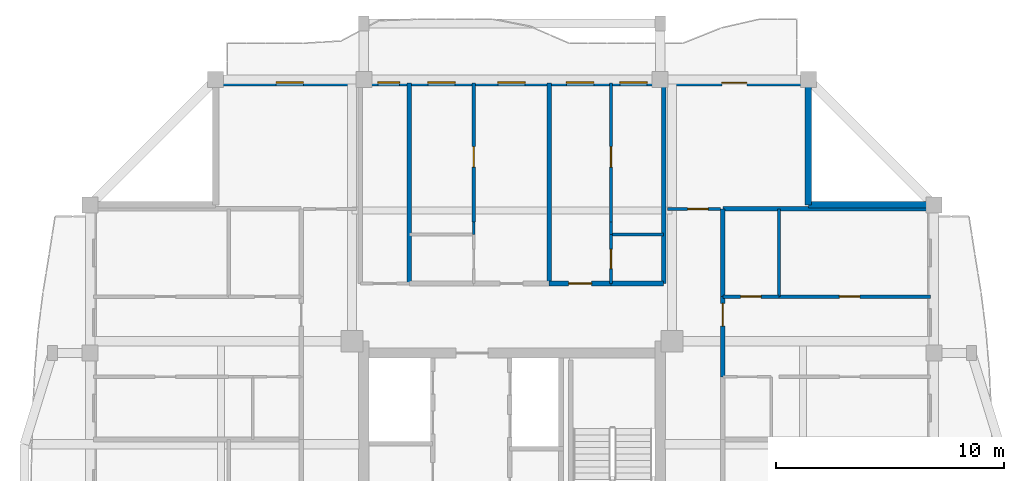
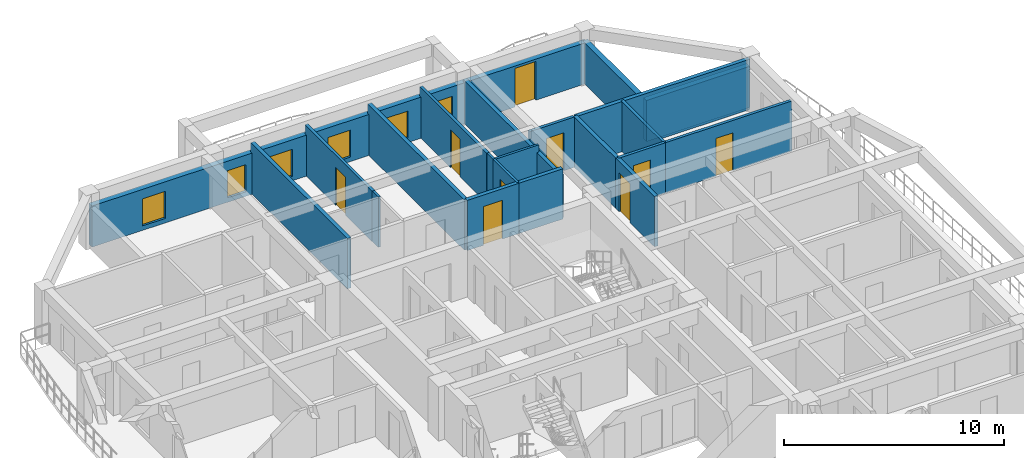
# One storey, part 7 of 14: 21 walls, 9 doors, 6 windows, 15 openings.
"""IFC4 building model written with IfcOpenShell, lengths in metres."""

import ifcopenshell
import ifcopenshell.guid

model = None  # the IFC model being written
_history = None  # IfcOwnerHistory: only IFC2X3 demands one
_inside = {}  # id of a spatial element -> (the spatial element, [elements in it])
_under = {}  # id of a project, library or spatial element -> (it, [spatial elements below it])
_declared = {}  # id of a project -> (the project, [libraries it declares])
_typed = {}  # id of a type object -> (the type object, [elements of that type])
_made_of = {}  # id of a material, layer set ... -> (it, [elements and type objects made of it])


def new_model(schema):
    """Start an empty IFC model of exactly this schema.

    Asked for "IFC4X3", IfcOpenShell would pick the latest addendum, in which some entities
    have other attributes; the version numbers below select the first issue.
    IFC2X3 requires an IfcOwnerHistory on every rooted entity: one is made here for all.
    """
    global model, _history
    if schema == "IFC4X3":
        model = ifcopenshell.file(schema_version=(4, 3, 0, 0))
    else:
        model = ifcopenshell.file(schema=schema)
    _inside.clear()
    _under.clear()
    _declared.clear()
    _typed.clear()
    _made_of.clear()
    _history = None
    if model.schema == "IFC2X3":
        org = make("IfcOrganization", Name="unknown")
        user = make(
            "IfcPersonAndOrganization",
            ThePerson=make("IfcPerson", FamilyName="unknown"),
            TheOrganization=org,
        )
        app = make(
            "IfcApplication",
            ApplicationDeveloper=org,
            Version="unknown",
            ApplicationFullName="unknown",
            ApplicationIdentifier="unknown",
        )
        _history = make(
            "IfcOwnerHistory",
            OwningUser=user,
            OwningApplication=app,
            ChangeAction="ADDED",
            CreationDate=0,
        )
    return model


def make(cls, **values):
    """One entity of the class cls with the attributes given. An attribute that is None is left unset."""
    return model.create_entity(
        cls, **{name: value for name, value in values.items() if value is not None}
    )


def rooted(cls, **values):
    """An entity with a GlobalId (a new one), such as an element, a storey or a relation."""
    return make(cls, GlobalId=ifcopenshell.guid.new(), OwnerHistory=_history, **values)


def si_unit(unit_type, name, prefix=None):
    """IfcSIUnit, for example si_unit("LENGTHUNIT", "METRE", prefix="MILLI")."""
    return make("IfcSIUnit", UnitType=unit_type, Prefix=prefix, Name=name)


def assignment(units):
    """IfcUnitAssignment: the units of a project."""
    return None if units is None else make("IfcUnitAssignment", Units=units)


def point(xyz):
    """IfcCartesianPoint."""
    return None if xyz is None else make("IfcCartesianPoint", Coordinates=xyz)


def direction(xyz):
    """IfcDirection."""
    return None if xyz is None else make("IfcDirection", DirectionRatios=xyz)


def frame(location, z_axis=None, x_axis=None):
    """IfcAxis2Placement3D, a coordinate frame: its origin and axes. An axis left out is left unset."""
    return make(
        "IfcAxis2Placement3D",
        Location=point(location),
        Axis=direction(z_axis),
        RefDirection=direction(x_axis),
    )


def frame_2d(location, x_axis=None):
    """IfcAxis2Placement2D, a coordinate frame in the plane: its origin and x axis."""
    return make(
        "IfcAxis2Placement2D", Location=point(location), RefDirection=direction(x_axis)
    )


def origin():
    """The frame at (0, 0, 0) with its axes left unset."""
    return frame((0.0, 0.0, 0.0))


def place(relative_to, where):
    """IfcLocalPlacement: puts the frame where relative to a parent placement (None: the world)."""
    return make(
        "IfcLocalPlacement", PlacementRelTo=relative_to, RelativePlacement=where
    )


def context(
    kind, dimensions, precision=None, world=None, true_north=None, identifier=None
):
    """IfcGeometricRepresentationContext, for example the 3D "Model" context."""
    return make(
        "IfcGeometricRepresentationContext",
        ContextIdentifier=identifier,
        ContextType=kind,
        CoordinateSpaceDimension=dimensions,
        Precision=precision,
        WorldCoordinateSystem=world,
        TrueNorth=true_north,
    )


def subcontext(parent, identifier, kind, view, scale=None):
    """IfcGeometricRepresentationSubContext, for example "Body" below "Model"."""
    return make(
        "IfcGeometricRepresentationSubContext",
        ContextIdentifier=identifier,
        ContextType=kind,
        ParentContext=parent,
        TargetScale=scale,
        TargetView=view,
    )


def project(units=None, contexts=None):
    """IfcProject with its units and contexts."""
    return rooted(
        "IfcProject",
        Name="project",
        RepresentationContexts=contexts,
        UnitsInContext=assignment(units),
    )


def spatial(cls, under=None, at=None, **own):
    """A site, building, storey or space (cls), placed at a placement, below another one or the project."""
    s = rooted(cls, ObjectPlacement=at, **own)
    if under is not None:
        _under.setdefault(under.id(), (under, []))[1].append(s)
    return s


def profile(cls, at=None, kind="AREA", **sizes):
    """A parametric profile (cls). Its sizes go by their IFC names, for example OverallWidth=200.0."""
    return make(cls, ProfileType=kind, Position=at, **sizes)


def rectangle(**sizes):
    """IfcRectangleProfileDef."""
    return profile("IfcRectangleProfileDef", **sizes)


def extrude(swept, where, along, depth):
    """IfcExtrudedAreaSolid: the profile swept, set in the frame where, extruded along a direction by depth."""
    return make(
        "IfcExtrudedAreaSolid",
        SweptArea=swept,
        Position=where,
        ExtrudedDirection=direction(along),
        Depth=depth,
    )


def shape(context_of_items, identifier, shape_type, items):
    """IfcShapeRepresentation: the items that make up one representation, for example the "Body"."""
    return make(
        "IfcShapeRepresentation",
        ContextOfItems=context_of_items,
        RepresentationIdentifier=identifier,
        RepresentationType=shape_type,
        Items=items,
    )


def source(mapping_origin, context_of_items, identifier, shape_type, items):
    """IfcRepresentationMap: a shape defined once, which mapped items show again and again."""
    return make(
        "IfcRepresentationMap",
        MappingOrigin=mapping_origin,
        MappedRepresentation=shape(context_of_items, identifier, shape_type, items),
    )


def transform(
    local_origin,
    x_axis=None,
    y_axis=None,
    z_axis=None,
    scale=None,
    scale2=None,
    scale3=None,
    uniform=True,
):
    """IfcCartesianTransformationOperator3D, or its non-uniform kind. x_axis, y_axis, z_axis: its Axis1, 2, 3."""
    if uniform:
        return make(
            "IfcCartesianTransformationOperator3D",
            Axis1=direction(x_axis),
            Axis2=direction(y_axis),
            LocalOrigin=point(local_origin),
            Scale=scale,
            Axis3=direction(z_axis),
        )
    return make(
        "IfcCartesianTransformationOperator3DnonUniform",
        Axis1=direction(x_axis),
        Axis2=direction(y_axis),
        LocalOrigin=point(local_origin),
        Scale=scale,
        Axis3=direction(z_axis),
        Scale2=scale2,
        Scale3=scale3,
    )


def mapped(mapping_source, mapping_target):
    """IfcMappedItem: shows the shape of a source again, moved by a transform."""
    return make(
        "IfcMappedItem", MappingSource=mapping_source, MappingTarget=mapping_target
    )


def material(Name=None, Category=None):
    """IfcMaterial."""
    return make("IfcMaterial", Name=Name, Category=Category)


def layer(
    of_material, thickness, ventilated=None, Name=None, Category=None, Priority=None
):
    """IfcMaterialLayer: one layer of a wall or slab, of a material (None: an air gap)."""
    return make(
        "IfcMaterialLayer",
        Material=of_material,
        LayerThickness=thickness,
        IsVentilated=ventilated,
        Name=Name,
        Category=Category,
        Priority=Priority,
    )


def layer_set(layers, Name=None):
    """IfcMaterialLayerSet."""
    return make("IfcMaterialLayerSet", MaterialLayers=layers, LayerSetName=Name)


def made_of(thing, what):
    """Note that an element or type object is made of a material, layer set ...; save() writes the relation."""
    if what is not None:
        _made_of.setdefault(what.id(), (what, []))[1].append(thing)
    return thing


def type_object(cls, material=None, **own):
    """A type object (cls), such as IfcWallType, which elements share."""
    return made_of(rooted(cls, **own), material)


def element(
    cls,
    number,
    at=None,
    inside=None,
    cuts=None,
    type_object=None,
    material=None,
    context=None,
    identifier="Body",
    shape_type=None,
    held_by="IfcProductDefinitionShape",
    body=None,
    shapes=None,
    **own,
):
    """One element of the class cls, such as IfcWall. Its Tag is "e" and its number.

    at: its placement. inside: the storey or other place that contains it. cuts: it is an
    opening in that element (IfcRelVoidsElement). A single representation is given by context,
    identifier, shape_type and body (its items); several are given by shapes. held_by: the class
    of the entity that holds the representations. save() writes the other relations.
    """
    e = rooted(cls, Tag="e%d" % number, ObjectPlacement=at, **own)
    if body is not None:
        shapes = [shape(context, identifier, shape_type, body)]
    if shapes is not None:
        e.Representation = make(held_by, Representations=shapes)
    if inside is not None:
        _inside.setdefault(inside.id(), (inside, []))[1].append(e)
    if cuts is not None:
        rooted(
            "IfcRelVoidsElement", RelatingBuildingElement=cuts, RelatedOpeningElement=e
        )
    if type_object is not None:
        _typed.setdefault(type_object.id(), (type_object, []))[1].append(e)
    return made_of(e, material)


def fill(opening, filler):
    """IfcRelFillsElement: the door or window that sits in an opening."""
    return rooted(
        "IfcRelFillsElement",
        RelatingOpeningElement=opening,
        RelatedBuildingElement=filler,
    )


def aggregate(whole, parts):
    """IfcRelAggregates: a whole, such as a stair, and the parts it consists of."""
    return rooted("IfcRelAggregates", RelatingObject=whole, RelatedObjects=parts)


def save(model, path):
    """Write the relations noted so far, then the file.

    IfcRelAggregates (storeys below a building ...), IfcRelContainedInSpatialStructure (elements
    in a storey), IfcRelDefinesByType, IfcRelAssociatesMaterial and IfcRelDeclares: one each for
    every whole, place, type object, material and project.
    """
    for whole, parts in _under.values():
        aggregate(whole, parts)
    for where, things in _inside.values():
        rooted(
            "IfcRelContainedInSpatialStructure",
            RelatedElements=things,
            RelatingStructure=where,
        )
    for kind, things in _typed.values():
        rooted("IfcRelDefinesByType", RelatedObjects=things, RelatingType=kind)
    for what, things in _made_of.values():
        rooted("IfcRelAssociatesMaterial", RelatedObjects=things, RelatingMaterial=what)
    for by, libraries in _declared.values():
        rooted("IfcRelDeclares", RelatingContext=by, RelatedDefinitions=libraries)
    model.write(path)


model = new_model("IFC4")

# Units and contexts
model_context = context("Model", 3, precision=1e-05, world=origin(), true_north=direction((0.0, 1.0)))
body_context = subcontext(model_context, "Body", "Model", "MODEL_VIEW")
ifc_project = project(units=[si_unit("LENGTHUNIT", "METRE"), si_unit("AREAUNIT", "SQUARE_METRE"), si_unit("VOLUMEUNIT", "CUBIC_METRE"), si_unit("PLANEANGLEUNIT", "RADIAN"), si_unit("MASSUNIT", "GRAM", prefix="KILO")], contexts=[model_context])

# Site, building, storey
site_placement = place(None, origin())
site = spatial("IfcSite", under=ifc_project, at=site_placement, CompositionType="ELEMENT")
building_placement = place(site_placement, origin())
building = spatial("IfcBuilding", under=site, at=building_placement, Name="Saelheon Loggia Tower", CompositionType="ELEMENT")
storey_placement = place(building_placement, frame((0.0, 0.0, 210.300048828125)))
storey = spatial("IfcBuildingStorey", under=building, at=storey_placement, Name="L65", CompositionType="ELEMENT", Elevation=210.300048828125)

# Wall, openings, windows, door
ifc_material_1 = material(Name="Architectural Precast Concrete C40/50", Category="concrete")
ifc_layer_1 = layer(ifc_material_1, 0.280029296875)
ifc_layer_set_1 = layer_set([ifc_layer_1], Name="Architectural Precast Concrete C40/50")
wall_type_1 = type_object("IfcWallType", Name="Wall_Ext_Loggia_280", PredefinedType="SOLIDWALL", material=ifc_layer_set_1)
wall_1_placement = place(storey_placement, frame((25.0, 47.860107421875, 0.0), z_axis=(0.0, 0.0, 1.0), x_axis=(1.0, 0.0, 0.0)))
wall_1 = element("IfcWall", 1, at=wall_1_placement, inside=storey, type_object=wall_type_1, Name="L65 North Loggia Inner Wall", PredefinedType="SOLIDWALL", context=body_context, shape_type="SweptSolid", body=[
    extrude(rectangle(XDim=26.0, YDim=0.280029296875, at=frame_2d((13.0, 0.0))), origin(), (0.0, 0.0, 1.0), 2.280029296875),
])
opening_1_placement = place(wall_1_placement, frame((2.64990234375, 0.0, 0.25)))
opening_1 = element("IfcOpeningElement", 2, at=opening_1_placement, cuts=wall_1, Name="Opening WN-03", PredefinedType="OPENING", context=body_context, shape_type="SweptSolid", body=[
    extrude(rectangle(XDim=1.199951171875, YDim=1.5, at=frame_2d((0.60009765625, 0.75))), frame((0.0, 0.152099609375, 0.0), z_axis=(0.0, -1.0, 0.0), x_axis=(1.0, 0.0, 0.0)), (0.0, 0.0, 1.0), 0.303955078125),
])
opening_2_placement = place(wall_1_placement, frame((7.1201171875, 0.0, 0.25)))
opening_2 = element("IfcOpeningElement", 3, at=opening_2_placement, cuts=wall_1, Name="Opening WN-04", PredefinedType="OPENING", context=body_context, shape_type="SweptSolid", body=[
    extrude(rectangle(XDim=0.949951171875, YDim=1.5, at=frame_2d((0.47509765625, 0.75))), frame((0.0, 0.152099609375, 0.0), z_axis=(0.0, -1.0, 0.0), x_axis=(1.0, 0.0, 0.0)), (0.0, 0.0, 1.0), 0.303955078125),
])
opening_3_placement = place(wall_1_placement, frame((9.310546875, 0.0, 0.25)))
opening_3 = element("IfcOpeningElement", 4, at=opening_3_placement, cuts=wall_1, Name="Opening WN-03", PredefinedType="OPENING", context=body_context, shape_type="SweptSolid", body=[
    extrude(rectangle(XDim=1.199951171875, YDim=1.5, at=frame_2d((0.60009765625, 0.75))), frame((0.0, 0.152099609375, 0.0), z_axis=(0.0, -1.0, 0.0), x_axis=(1.0, 0.0, 0.0)), (0.0, 0.0, 1.0), 0.303955078125),
])
opening_4_placement = place(wall_1_placement, frame((12.376708984375, 0.0, 0.25)))
opening_4 = element("IfcOpeningElement", 5, at=opening_4_placement, cuts=wall_1, Name="Opening WN-03", PredefinedType="OPENING", context=body_context, shape_type="SweptSolid", body=[
    extrude(rectangle(XDim=1.199951171875, YDim=1.5, at=frame_2d((0.60009765625, 0.75))), frame((0.0, 0.152099609375, 0.0), z_axis=(0.0, -1.0, 0.0), x_axis=(1.0, 0.0, 0.0)), (0.0, 0.0, 1.0), 0.303955078125),
])
opening_5_placement = place(wall_1_placement, frame((15.38720703125, 0.0, 0.25)))
opening_5 = element("IfcOpeningElement", 6, at=opening_5_placement, cuts=wall_1, Name="Opening WN-03", PredefinedType="OPENING", context=body_context, shape_type="SweptSolid", body=[
    extrude(rectangle(XDim=1.199951171875, YDim=1.5, at=frame_2d((0.60009765625, 0.75))), frame((0.0, 0.152099609375, 0.0), z_axis=(0.0, -1.0, 0.0), x_axis=(1.0, 0.0, 0.0)), (0.0, 0.0, 1.0), 0.303955078125),
])
opening_6_placement = place(wall_1_placement, frame((17.72607421875, 0.0, 0.25)))
opening_6 = element("IfcOpeningElement", 7, at=opening_6_placement, cuts=wall_1, Name="Opening WN-03", PredefinedType="OPENING", context=body_context, shape_type="SweptSolid", body=[
    extrude(rectangle(XDim=1.199951171875, YDim=1.5, at=frame_2d((0.60009765625, 0.75))), frame((0.0, 0.152099609375, 0.0), z_axis=(0.0, -1.0, 0.0), x_axis=(1.0, 0.0, 0.0)), (0.0, 0.0, 1.0), 0.303955078125),
])
opening_7_placement = place(wall_1_placement, frame((22.199951171875, 0.0, 0.0)))
opening_7 = element("IfcOpeningElement", 8, at=opening_7_placement, cuts=wall_1, Name="Opening TD1", PredefinedType="OPENING", context=body_context, shape_type="SweptSolid", body=[
    extrude(rectangle(XDim=1.10009765625, YDim=2.14990234375, at=frame_2d((0.550048828125, 1.074951171875))), frame((0.0, 0.152099609375, 0.0), z_axis=(0.0, -1.0, 0.0), x_axis=(1.0, 0.0, 0.0)), (0.0, 0.0, 1.0), 0.303955078125),
])
ifc_material_2 = material(Name="Thermal-Break Aluminium and Triple Low-E Glass", Category="aluminium")
window_type_1 = type_object("IfcWindowType", Name="Win_Bedroom_1200x1500", PartitioningType="SINGLE_PANEL", PredefinedType="WINDOW", material=ifc_material_2)
shared_shape_1 = source(origin(), body_context, "Body", "SweptSolid", [
    extrude(rectangle(XDim=1.199951171875, YDim=1.5, at=frame_2d((0.60009765625, 0.75))), frame((0.0, 0.030029296875, 0.0), z_axis=(0.0, -1.0, 0.0), x_axis=(1.0, 0.0, 0.0)), (0.0, 0.0, 1.0), 0.06005859375),
])
window_1_placement = place(opening_1_placement, origin())
window_1 = element("IfcWindow", 9, at=window_1_placement, inside=storey, type_object=window_type_1, Name="L65 N Dwelling Window 1", OverallHeight=1.5, OverallWidth=1.199951171875, PartitioningType="SINGLE_PANEL", PredefinedType="WINDOW", context=body_context, shape_type="MappedRepresentation", body=[
    mapped(shared_shape_1, transform((0.0, 0.0, 0.0), scale=1.0)),
])
fill(opening_1, window_1)
window_2_placement = place(opening_3_placement, origin())
window_2 = element("IfcWindow", 10, at=window_2_placement, inside=storey, type_object=window_type_1, Name="L65 N Dwelling Window 3", OverallHeight=1.5, OverallWidth=1.199951171875, PartitioningType="SINGLE_PANEL", PredefinedType="WINDOW", context=body_context, shape_type="MappedRepresentation", body=[
    mapped(shared_shape_1, transform((0.0, 0.0, 0.0), scale=1.0)),
])
fill(opening_3, window_2)
window_3_placement = place(opening_4_placement, origin())
window_3 = element("IfcWindow", 11, at=window_3_placement, inside=storey, type_object=window_type_1, Name="L65 N Dwelling Window 4", OverallHeight=1.5, OverallWidth=1.199951171875, PartitioningType="SINGLE_PANEL", PredefinedType="WINDOW", context=body_context, shape_type="MappedRepresentation", body=[
    mapped(shared_shape_1, transform((0.0, 0.0, 0.0), scale=1.0)),
])
fill(opening_4, window_3)
window_4_placement = place(opening_5_placement, origin())
window_4 = element("IfcWindow", 12, at=window_4_placement, inside=storey, type_object=window_type_1, Name="L65 N Dwelling Window 5", OverallHeight=1.5, OverallWidth=1.199951171875, PartitioningType="SINGLE_PANEL", PredefinedType="WINDOW", context=body_context, shape_type="MappedRepresentation", body=[
    mapped(shared_shape_1, transform((0.0, 0.0, 0.0), scale=1.0)),
])
fill(opening_5, window_4)
window_5_placement = place(opening_6_placement, origin())
window_5 = element("IfcWindow", 13, at=window_5_placement, inside=storey, type_object=window_type_1, Name="L65 N Dwelling Window 6", OverallHeight=1.5, OverallWidth=1.199951171875, PartitioningType="SINGLE_PANEL", PredefinedType="WINDOW", context=body_context, shape_type="MappedRepresentation", body=[
    mapped(shared_shape_1, transform((0.0, 0.0, 0.0), scale=1.0)),
])
fill(opening_6, window_5)
ifc_material_3 = material(Name="Thermal-Break Aluminium Glazed Door", Category="aluminium")
door_type_1 = type_object("IfcDoorType", Name="Door_Terrace_TD1", OperationType="NOTDEFINED", PredefinedType="DOOR", material=ifc_material_3)
shared_shape_2 = source(origin(), body_context, "Body", "SweptSolid", [
    extrude(rectangle(XDim=1.10009765625, YDim=2.14990234375, at=frame_2d((0.550048828125, 1.074951171875))), frame((0.0, 0.02490234375, 0.0), z_axis=(0.0, -1.0, 0.0), x_axis=(1.0, 0.0, 0.0)), (0.0, 0.0, 1.0), 0.050048828125),
])
door_1_placement = place(opening_7_placement, origin())
door_1 = element("IfcDoor", 14, at=door_1_placement, inside=storey, type_object=door_type_1, Name="L65 N Loggia Access Door", OperationType="SINGLE_SWING_LEFT", OverallHeight=2.14990234375, OverallWidth=1.10009765625, PredefinedType="DOOR", context=body_context, shape_type="MappedRepresentation", body=[
    mapped(shared_shape_2, transform((0.0, 0.0, 0.0), scale=1.0)),
])
fill(opening_7, door_1)
window_type_2 = type_object("IfcWindowType", Name="Win_Narrow_950x1500", PartitioningType="SINGLE_PANEL", PredefinedType="WINDOW", material=ifc_material_2)
shared_shape_3 = source(origin(), body_context, "Body", "SweptSolid", [
    extrude(rectangle(XDim=0.949951171875, YDim=1.5, at=frame_2d((0.47509765625, 0.75))), frame((0.0, 0.030029296875, 0.0), z_axis=(0.0, -1.0, 0.0), x_axis=(1.0, 0.0, 0.0)), (0.0, 0.0, 1.0), 0.06005859375),
])
window_6_placement = place(opening_2_placement, origin())
window_6 = element("IfcWindow", 15, at=window_6_placement, inside=storey, type_object=window_type_2, Name="L65 N Dwelling Window 2", OverallHeight=1.5, OverallWidth=0.949951171875, PartitioningType="SINGLE_PANEL", PredefinedType="WINDOW", context=body_context, shape_type="MappedRepresentation", body=[
    mapped(shared_shape_3, transform((0.0, 0.0, 0.0), scale=1.0)),
])
fill(opening_2, window_6)

# Walls
for number, where, z_axis, x_axis, name in (
    (16, (51.0, 42.5, 0.0), (0.0, 0.0, 1.0), (0.0, 1.0, 0.0), "L65 Corner Notch Precast Wall NE1"),
    (17, (51.0, 42.5, 0.0), (0.0, 0.0, 1.0), (1.0, 0.0, 0.0), "L65 Corner Notch Precast Wall NE2"),
):
    element("IfcWall", number, at=place(storey_placement, frame(where, z_axis=z_axis, x_axis=x_axis)), inside=storey, type_object=wall_type_1, Name=name, PredefinedType="SOLIDWALL", context=body_context, shape_type="SweptSolid", body=[
        extrude(rectangle(XDim=5.419921875, YDim=0.280029296875, at=frame_2d((2.7099609375, 0.0))), origin(), (0.0, 0.0, 1.0), 2.280029296875),
    ])

# Wall, opening, door
ifc_material_4 = material(Name="Lightweight Autoclaved Aerated Concrete Block and Acoustic Gypsum", Category="concrete")
ifc_layer_2 = layer(ifc_material_4, 0.14990234375)
ifc_layer_set_2 = layer_set([ifc_layer_2], Name="Lightweight Autoclaved Aerated Concrete Block and Acoustic Gypsum")
wall_type_2 = type_object("IfcWallType", Name="Wall_Part_150", PredefinedType="PARTITIONING", material=ifc_layer_set_2)
wall_2_placement = place(storey_placement, frame((44.820068359375, 42.320068359375, 0.0), z_axis=(0.0, 0.0, 1.0), x_axis=(1.0, 0.0, 0.0)))
wall_2 = element("IfcWall", 18, at=wall_2_placement, inside=storey, type_object=wall_type_2, Name="PW-L65-CNE-H", PredefinedType="PARTITIONING", context=body_context, shape_type="SweptSolid", body=[
    extrude(rectangle(XDim=2.329833984375, YDim=0.14990234375, at=frame_2d((1.1650390625, 0.0))), origin(), (0.0, 0.0, 1.0), 2.7900390625),
])
opening_8_placement = place(wall_2_placement, frame((0.8798828125, 0.0, 0.0)))
opening_8 = element("IfcOpeningElement", 19, at=opening_8_placement, cuts=wall_2, Name="Opening D-IN2", PredefinedType="OPENING", context=body_context, shape_type="SweptSolid", body=[
    extrude(rectangle(XDim=0.89990234375, YDim=2.10009765625, at=frame_2d((0.449951171875, 1.050048828125))), frame((0.0, 0.0869140625, 0.0), z_axis=(0.0, -1.0, 0.0), x_axis=(1.0, 0.0, 0.0)), (0.0, 0.0, 1.0), 0.173828125),
])
ifc_material_5 = material(Name="Engineered Oak Flush Door", Category="timber")
door_type_2 = type_object("IfcDoorType", Name="Door_Int_900", OperationType="NOTDEFINED", PredefinedType="DOOR", material=ifc_material_5)
shared_shape_4 = source(origin(), body_context, "Body", "SweptSolid", [
    extrude(rectangle(XDim=0.89990234375, YDim=2.10009765625, at=frame_2d((0.449951171875, 1.050048828125))), frame((0.0, 0.02490234375, 0.0), z_axis=(0.0, -1.0, 0.0), x_axis=(1.0, 0.0, 0.0)), (0.0, 0.0, 1.0), 0.050048828125),
])
door_2_placement = place(opening_8_placement, origin())
door_2 = element("IfcDoor", 20, at=door_2_placement, inside=storey, type_object=door_type_2, Name="L65 Corner Reading Room NE Door", OperationType="SINGLE_SWING_LEFT", OverallHeight=2.10009765625, OverallWidth=0.89990234375, PredefinedType="DOOR", context=body_context, shape_type="MappedRepresentation", body=[
    mapped(shared_shape_4, transform((0.0, 0.0, 0.0), scale=1.0)),
])
fill(opening_8, door_2)

wall_3_placement = place(storey_placement, frame((36.321044921875, 41.75, 0.0), z_axis=(0.0, 0.0, 1.0), x_axis=(0.0, 1.0, 0.0)))
wall_3 = element("IfcWall", 21, at=wall_3_placement, inside=storey, type_object=wall_type_2, Name="L65 N Partition U10", PredefinedType="PARTITIONING", context=body_context, shape_type="SweptSolid", body=[
    extrude(rectangle(XDim=6.10009765625, YDim=0.14990234375, at=frame_2d((3.050048828125, 0.0))), origin(), (0.0, 0.0, 1.0), 2.7900390625),
])
opening_9_placement = place(wall_3_placement, frame((2.4033203125, 0.0, 0.0)))
opening_9 = element("IfcOpeningElement", 22, at=opening_9_placement, cuts=wall_3, Name="Opening D-IN2", PredefinedType="OPENING", context=body_context, shape_type="SweptSolid", body=[
    extrude(rectangle(XDim=0.89990234375, YDim=2.10009765625, at=frame_2d((0.449951171875, 1.050048828125))), frame((0.0, 0.0869140625, 0.0), z_axis=(0.0, -1.0, 0.0), x_axis=(1.0, 0.0, 0.0)), (0.0, 0.0, 1.0), 0.173828125),
])
door_3_placement = place(opening_9_placement, origin())
door_3 = element("IfcDoor", 23, at=door_3_placement, inside=storey, type_object=door_type_2, Name="Unit U03 Kitchen Door", OperationType="SINGLE_SWING_LEFT", OverallHeight=2.10009765625, OverallWidth=0.89990234375, PredefinedType="DOOR", context=body_context, shape_type="MappedRepresentation", body=[
    mapped(shared_shape_4, transform((0.0, 0.0, 0.0), scale=1.0)),
])
fill(opening_9, door_3)

wall_4_placement = place(storey_placement, frame((42.341796875, 41.75, 0.0), z_axis=(0.0, 0.0, 1.0), x_axis=(0.0, 1.0, 0.0)))
wall_4 = element("IfcWall", 24, at=wall_4_placement, inside=storey, type_object=wall_type_2, Name="L65 N Partition U17", PredefinedType="PARTITIONING", context=body_context, shape_type="SweptSolid", body=[
    extrude(rectangle(XDim=6.10009765625, YDim=0.14990234375, at=frame_2d((3.050048828125, 0.0))), origin(), (0.0, 0.0, 1.0), 2.7900390625),
])
opening_10_placement = place(wall_4_placement, frame((2.4033203125, 0.0, 0.0)))
opening_10 = element("IfcOpeningElement", 25, at=opening_10_placement, cuts=wall_4, Name="Opening D-IN2", PredefinedType="OPENING", context=body_context, shape_type="SweptSolid", body=[
    extrude(rectangle(XDim=0.89990234375, YDim=2.10009765625, at=frame_2d((0.449951171875, 1.050048828125))), frame((0.0, 0.0869140625, 0.0), z_axis=(0.0, -1.0, 0.0), x_axis=(1.0, 0.0, 0.0)), (0.0, 0.0, 1.0), 0.173828125),
])
door_4_placement = place(opening_10_placement, origin())
door_4 = element("IfcDoor", 26, at=door_4_placement, inside=storey, type_object=door_type_2, Name="Unit U04 Kitchen Door", OperationType="SINGLE_SWING_RIGHT", OverallHeight=2.10009765625, OverallWidth=0.89990234375, PredefinedType="DOOR", context=body_context, shape_type="MappedRepresentation", body=[
    mapped(shared_shape_4, transform((0.0, 0.0, 0.0), scale=1.0)),
])
fill(opening_10, door_4)

# Wall
wall_5_placement = place(storey_placement, frame((49.7099609375, 38.477783203125, 0.0), z_axis=(0.0, 0.0, 1.0), x_axis=(0.0, 1.0, 0.0)))
element("IfcWall", 27, at=wall_5_placement, inside=storey, type_object=wall_type_2, Name="L65 E Partition V27", PredefinedType="PARTITIONING", context=body_context, shape_type="SweptSolid", body=[
    extrude(rectangle(XDim=3.84228515625, YDim=0.14990234375, at=frame_2d((1.921142578125, 0.0))), origin(), (0.0, 0.0, 1.0), 2.7900390625),
])

# Wall, opening, door
wall_6_placement = place(storey_placement, frame((47.25, 38.477783203125, 0.0), z_axis=(0.0, 0.0, 1.0), x_axis=(1.0, 0.0, 0.0)))
wall_6 = element("IfcWall", 28, at=wall_6_placement, inside=storey, type_object=wall_type_2, Name="L65 E Partition U30", PredefinedType="PARTITIONING", context=body_context, shape_type="SweptSolid", body=[
    extrude(rectangle(XDim=2.4599609375, YDim=0.14990234375, at=frame_2d((1.22998046875, 0.0))), origin(), (0.0, 0.0, 1.0), 2.7900390625),
])
opening_11_placement = place(wall_6_placement, frame((0.780029296875, 0.0, 0.0)))
opening_11 = element("IfcOpeningElement", 29, at=opening_11_placement, cuts=wall_6, Name="Opening D-IN2", PredefinedType="OPENING", context=body_context, shape_type="SweptSolid", body=[
    extrude(rectangle(XDim=0.89990234375, YDim=2.10009765625, at=frame_2d((0.449951171875, 1.050048828125))), frame((0.0, 0.0869140625, 0.0), z_axis=(0.0, -1.0, 0.0), x_axis=(1.0, 0.0, 0.0)), (0.0, 0.0, 1.0), 0.173828125),
])
door_5_placement = place(opening_11_placement, origin())
door_5 = element("IfcDoor", 30, at=door_5_placement, inside=storey, type_object=door_type_2, Name="Unit U10 Dressing Closet Door", OperationType="SINGLE_SWING_LEFT", OverallHeight=2.10009765625, OverallWidth=0.89990234375, PredefinedType="DOOR", context=body_context, shape_type="MappedRepresentation", body=[
    mapped(shared_shape_4, transform((0.0, 0.0, 0.0), scale=1.0)),
])
fill(opening_11, door_5)

wall_7_placement = place(storey_placement, frame((49.7099609375, 38.477783203125, 0.0), z_axis=(0.0, 0.0, 1.0), x_axis=(1.0, 0.0, 0.0)))
wall_7 = element("IfcWall", 31, at=wall_7_placement, inside=storey, type_object=wall_type_2, Name="L65 E Partition U31", PredefinedType="PARTITIONING", context=body_context, shape_type="SweptSolid", body=[
    extrude(rectangle(XDim=6.64013671875, YDim=0.14990234375, at=frame_2d((3.320068359375, 0.0))), origin(), (0.0, 0.0, 1.0), 2.7900390625),
])
opening_12_placement = place(wall_7_placement, frame((2.65087890625, 0.0, 0.0)))
opening_12 = element("IfcOpeningElement", 32, at=opening_12_placement, cuts=wall_7, Name="Opening D-IN2", PredefinedType="OPENING", context=body_context, shape_type="SweptSolid", body=[
    extrude(rectangle(XDim=0.89990234375, YDim=2.10009765625, at=frame_2d((0.449951171875, 1.050048828125))), frame((0.0, 0.0869140625, 0.0), z_axis=(0.0, -1.0, 0.0), x_axis=(1.0, 0.0, 0.0)), (0.0, 0.0, 1.0), 0.173828125),
])
door_6_placement = place(opening_12_placement, origin())
door_6 = element("IfcDoor", 33, at=door_6_placement, inside=storey, type_object=door_type_2, Name="Unit U10 Bedroom 1 Door", OperationType="SINGLE_SWING_RIGHT", OverallHeight=2.10009765625, OverallWidth=0.89990234375, PredefinedType="DOOR", context=body_context, shape_type="MappedRepresentation", body=[
    mapped(shared_shape_4, transform((0.0, 0.0, 0.0), scale=1.0)),
])
fill(opening_12, door_6)

# Walls
ifc_material_6 = material(Name="Double Acoustic Stud and Fireboard Partition", Category="gypsum")
ifc_layer_3 = layer(ifc_material_6, 0.199951171875)
ifc_layer_set_3 = layer_set([ifc_layer_3], Name="Double Acoustic Stud and Fireboard Partition")
wall_type_3 = type_object("IfcWallType", Name="Wall_Party_200", PredefinedType="PARTITIONING", material=ifc_layer_set_3)
wall_8_placement = place(storey_placement, frame((44.64990234375, 39.050048828125, 0.0), z_axis=(0.0, 0.0, 1.0), x_axis=(0.0, 1.0, 0.0)))
element("IfcWall", 34, at=wall_8_placement, inside=storey, type_object=wall_type_3, Name="L65 N Partition U02", PredefinedType="PARTITIONING", context=body_context, shape_type="SweptSolid", body=[
    extrude(rectangle(XDim=8.800048828125, YDim=0.199951171875, at=frame_2d((4.39990234375, 0.0))), origin(), (0.0, 0.0, 1.0), 2.389892578125),
])
for number, where, z_axis, x_axis, name in (
    (35, (33.5, 39.050048828125, 0.0), (0.0, 0.0, 1.0), (0.0, 1.0, 0.0), "L65 N Partition U03"),
    (36, (39.632568359375, 39.050048828125, 0.0), (0.0, 0.0, 1.0), (0.0, 1.0, 0.0), "L65 N Partition U11"),
):
    element("IfcWall", number, at=place(storey_placement, frame(where, z_axis=z_axis, x_axis=x_axis)), inside=storey, type_object=wall_type_3, Name=name, PredefinedType="PARTITIONING", context=body_context, shape_type="SweptSolid", body=[
        extrude(rectangle(XDim=8.800048828125, YDim=0.199951171875, at=frame_2d((4.39990234375, 0.0))), origin(), (0.0, 0.0, 1.0), 2.7900390625),
    ])

# Wall, opening, door
wall_9_placement = place(storey_placement, frame((39.632568359375, 39.050048828125, 0.0), z_axis=(0.0, 0.0, 1.0), x_axis=(1.0, 0.0, 0.0)))
wall_9 = element("IfcWall", 37, at=wall_9_placement, inside=storey, type_object=wall_type_3, Name="L65 N Partition V12", PredefinedType="PARTITIONING", context=body_context, shape_type="SweptSolid", body=[
    extrude(rectangle(XDim=2.709228515625, YDim=0.199951171875, at=frame_2d((1.3544921875, 0.0))), origin(), (0.0, 0.0, 1.0), 2.7900390625),
])
opening_13_placement = place(wall_9_placement, frame((0.854736328125, 0.0, 0.0)))
opening_13 = element("IfcOpeningElement", 38, at=opening_13_placement, cuts=wall_9, Name="Opening D-FD1", PredefinedType="OPENING", context=body_context, shape_type="SweptSolid", body=[
    extrude(rectangle(XDim=1.0, YDim=2.14990234375, at=frame_2d((0.5, 1.074951171875))), frame((0.0, 0.112060546875, 0.0), z_axis=(0.0, -1.0, 0.0), x_axis=(1.0, 0.0, 0.0)), (0.0, 0.0, 1.0), 0.223876953125),
])
ifc_material_7 = material(Name="Fire-Rated Engineered Timber Entrance Door", Category="wood")
door_type_3 = type_object("IfcDoorType", Name="Door_Flat_FD30S", OperationType="NOTDEFINED", PredefinedType="DOOR", material=ifc_material_7)
shared_shape_5 = source(origin(), body_context, "Body", "SweptSolid", [
    extrude(rectangle(XDim=1.0, YDim=2.14990234375, at=frame_2d((0.5, 1.074951171875))), frame((0.0, 0.02490234375, 0.0), z_axis=(0.0, -1.0, 0.0), x_axis=(1.0, 0.0, 0.0)), (0.0, 0.0, 1.0), 0.050048828125),
])
door_7_placement = place(opening_13_placement, origin())
door_7 = element("IfcDoor", 39, at=door_7_placement, inside=storey, type_object=door_type_3, Name="Unit U04 Entrance Door", OperationType="SINGLE_SWING_RIGHT", OverallHeight=2.14990234375, OverallWidth=1.0, PredefinedType="DOOR", context=body_context, shape_type="MappedRepresentation", body=[
    mapped(shared_shape_5, transform((0.0, 0.0, 0.0), scale=1.0)),
])
fill(opening_13, door_7)

# Walls
wall_10_placement = place(storey_placement, frame((42.341796875, 39.050048828125, 0.0), z_axis=(0.0, 0.0, 1.0), x_axis=(1.0, 0.0, 0.0)))
element("IfcWall", 40, at=wall_10_placement, inside=storey, type_object=wall_type_3, Name="L65 N Partition V13", PredefinedType="PARTITIONING", context=body_context, shape_type="SweptSolid", body=[
    extrude(rectangle(XDim=2.30810546875, YDim=0.199951171875, at=frame_2d((1.154052734375, 0.0))), origin(), (0.0, 0.0, 1.0), 2.7900390625),
])
wall_11_placement = place(storey_placement, frame((47.25, 42.320068359375, 0.0), z_axis=(0.0, 0.0, 1.0), x_axis=(1.0, 0.0, 0.0)))
element("IfcWall", 41, at=wall_11_placement, inside=storey, type_object=wall_type_3, Name="L65 E Partition U02", PredefinedType="PARTITIONING", context=body_context, shape_type="SweptSolid", body=[
    extrude(rectangle(XDim=9.10009765625, YDim=0.199951171875, at=frame_2d((4.550048828125, 0.0))), origin(), (0.0, 0.0, 1.0), 2.7900390625),
])

# Wall, opening, door
wall_12_placement = place(storey_placement, frame((47.25, 34.958740234375, 0.0), z_axis=(0.0, 0.0, 1.0), x_axis=(0.0, 1.0, 0.0)))
wall_12 = element("IfcWall", 42, at=wall_12_placement, inside=storey, type_object=wall_type_3, Name="L65 E Partition V24", PredefinedType="PARTITIONING", context=body_context, shape_type="SweptSolid", body=[
    extrude(rectangle(XDim=3.51904296875, YDim=0.199951171875, at=frame_2d((1.759521484375, 0.0))), origin(), (0.0, 0.0, 1.0), 2.7900390625),
])
opening_14_placement = place(wall_12_placement, frame((2.21728515625, 0.0, 0.0)))
opening_14 = element("IfcOpeningElement", 43, at=opening_14_placement, cuts=wall_12, Name="Opening D-FD1", PredefinedType="OPENING", context=body_context, shape_type="SweptSolid", body=[
    extrude(rectangle(XDim=1.0, YDim=2.14990234375, at=frame_2d((0.5, 1.074951171875))), frame((0.0, 0.112060546875, 0.0), z_axis=(0.0, -1.0, 0.0), x_axis=(1.0, 0.0, 0.0)), (0.0, 0.0, 1.0), 0.223876953125),
])
door_8_placement = place(opening_14_placement, origin())
door_8 = element("IfcDoor", 44, at=door_8_placement, inside=storey, type_object=door_type_3, Name="Unit U10 Entrance Door", OperationType="SINGLE_SWING_RIGHT", OverallHeight=2.14990234375, OverallWidth=1.0, PredefinedType="DOOR", context=body_context, shape_type="MappedRepresentation", body=[
    mapped(shared_shape_5, transform((0.0, 0.0, 0.0), scale=1.0)),
])
fill(opening_14, door_8)

# Walls
wall_13_placement = place(storey_placement, frame((47.25, 38.477783203125, 0.0), z_axis=(0.0, 0.0, 1.0), x_axis=(0.0, 1.0, 0.0)))
element("IfcWall", 45, at=wall_13_placement, inside=storey, type_object=wall_type_3, Name="L65 E Partition V25", PredefinedType="PARTITIONING", context=body_context, shape_type="SweptSolid", body=[
    extrude(rectangle(XDim=3.84228515625, YDim=0.199951171875, at=frame_2d((1.921142578125, 0.0))), origin(), (0.0, 0.0, 1.0), 2.7900390625),
])
ifc_material_8 = material(Name="Moisture-Resistant Cement Board Partition", Category="gypsum")
ifc_layer_4 = layer(ifc_material_8, 0.1201171875)
ifc_layer_set_4 = layer_set([ifc_layer_4], Name="Moisture-Resistant Cement Board Partition")
wall_type_4 = type_object("IfcWallType", Name="Wall_WetPart_120", PredefinedType="PARTITIONING", material=ifc_layer_set_4)
wall_14_placement = place(storey_placement, frame((36.321044921875, 41.199951171875, 0.0), z_axis=(0.0, 0.0, 1.0), x_axis=(0.0, 1.0, 0.0)))
element("IfcWall", 46, at=wall_14_placement, inside=storey, type_object=wall_type_4, Name="L65 N Partition U08", PredefinedType="PARTITIONING", context=body_context, shape_type="SweptSolid", body=[
    extrude(rectangle(XDim=0.550048828125, YDim=0.1201171875, at=frame_2d((0.27490234375, 0.0))), origin(), (0.0, 0.0, 1.0), 2.7900390625),
])

# Wall, opening, door
wall_15_placement = place(storey_placement, frame((42.341796875, 39.050048828125, 0.0), z_axis=(0.0, 0.0, 1.0), x_axis=(0.0, 1.0, 0.0)))
wall_15 = element("IfcWall", 47, at=wall_15_placement, inside=storey, type_object=wall_type_4, Name="L65 N Partition U14", PredefinedType="PARTITIONING", context=body_context, shape_type="SweptSolid", body=[
    extrude(rectangle(XDim=2.14990234375, YDim=0.1201171875, at=frame_2d((1.074951171875, 0.0))), origin(), (0.0, 0.0, 1.0), 2.7900390625),
])
opening_15_placement = place(wall_15_placement, frame((0.64990234375, 0.0, 0.0)))
opening_15 = element("IfcOpeningElement", 48, at=opening_15_placement, cuts=wall_15, Name="Opening D-BT1", PredefinedType="OPENING", context=body_context, shape_type="SweptSolid", body=[
    extrude(rectangle(XDim=0.85009765625, YDim=2.050048828125, at=frame_2d((0.425048828125, 1.02490234375))), frame((0.0, 0.072021484375, 0.0), z_axis=(0.0, -1.0, 0.0), x_axis=(1.0, 0.0, 0.0)), (0.0, 0.0, 1.0), 0.14404296875),
])
ifc_material_9 = material(Name="Moisture-Resistant Laminate Timber Door", Category="wood")
door_type_4 = type_object("IfcDoorType", Name="Door_Bath_850", OperationType="NOTDEFINED", PredefinedType="DOOR", material=ifc_material_9)
shared_shape_6 = source(origin(), body_context, "Body", "SweptSolid", [
    extrude(rectangle(XDim=0.85009765625, YDim=2.050048828125, at=frame_2d((0.425048828125, 1.02490234375))), frame((0.0, 0.02490234375, 0.0), z_axis=(0.0, -1.0, 0.0), x_axis=(1.0, 0.0, 0.0)), (0.0, 0.0, 1.0), 0.050048828125),
])
door_9_placement = place(opening_15_placement, origin())
door_9 = element("IfcDoor", 49, at=door_9_placement, inside=storey, type_object=door_type_4, Name="Unit U04 Bathroom Door", OperationType="SINGLE_SWING_LEFT", OverallHeight=2.050048828125, OverallWidth=0.85009765625, PredefinedType="DOOR", context=body_context, shape_type="MappedRepresentation", body=[
    mapped(shared_shape_6, transform((0.0, 0.0, 0.0), scale=1.0)),
])
fill(opening_15, door_9)

# Walls
wall_16_placement = place(storey_placement, frame((42.341796875, 41.199951171875, 0.0), z_axis=(0.0, 0.0, 1.0), x_axis=(0.0, 1.0, 0.0)))
element("IfcWall", 50, at=wall_16_placement, inside=storey, type_object=wall_type_4, Name="L65 N Partition U15", PredefinedType="PARTITIONING", context=body_context, shape_type="SweptSolid", body=[
    extrude(rectangle(XDim=0.550048828125, YDim=0.1201171875, at=frame_2d((0.27490234375, 0.0))), origin(), (0.0, 0.0, 1.0), 2.7900390625),
])
wall_17_placement = place(storey_placement, frame((42.341796875, 41.199951171875, 0.0), z_axis=(0.0, 0.0, 1.0), x_axis=(1.0, 0.0, 0.0)))
element("IfcWall", 51, at=wall_17_placement, inside=storey, type_object=wall_type_4, Name="L65 N Partition V16", PredefinedType="PARTITIONING", context=body_context, shape_type="SweptSolid", body=[
    extrude(rectangle(XDim=2.30810546875, YDim=0.1201171875, at=frame_2d((1.154052734375, 0.0))), origin(), (0.0, 0.0, 1.0), 2.7900390625),
])

save(model, "model.ifc")
